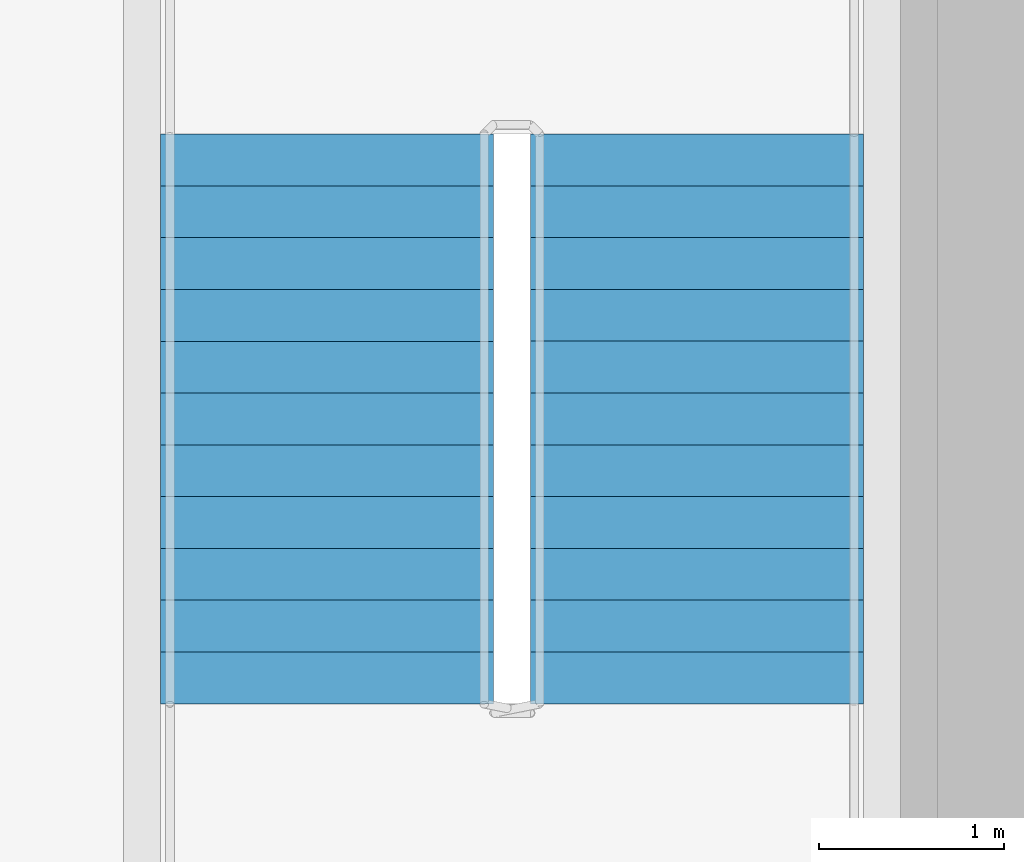
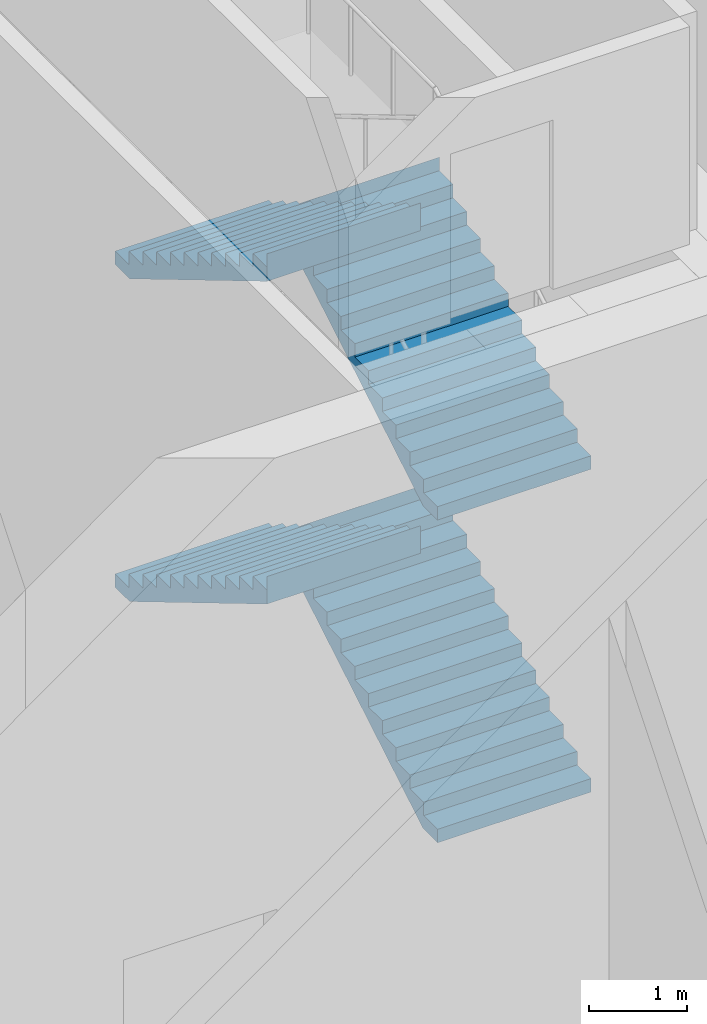
# One storey, part 5 of 7: 4 stair flights, 1 element without a shape of its own.
"""IFC4 building model written with IfcOpenShell, lengths in metres."""

from ifc_helpers import new_model, si_unit, direction, frame, origin, place, context, subcontext, project, spatial, polyline, outline, extrude, material, type_object, element, aggregate, save


model = new_model("IFC4")

# Units and contexts
model_context = context("Model", 3, precision=1e-05, world=origin(), true_north=direction((0.0, 1.0)))
body_context = subcontext(model_context, "Body", "Model", "MODEL_VIEW")
ifc_project = project(units=[si_unit("LENGTHUNIT", "METRE"), si_unit("AREAUNIT", "SQUARE_METRE"), si_unit("VOLUMEUNIT", "CUBIC_METRE"), si_unit("PLANEANGLEUNIT", "RADIAN"), si_unit("MASSUNIT", "GRAM", prefix="KILO")], contexts=[model_context])

# Site, building, storey
site_placement = place(None, origin())
site = spatial("IfcSite", under=ifc_project, at=site_placement, CompositionType="ELEMENT")
building_placement = place(site_placement, origin())
building = spatial("IfcBuilding", under=site, at=building_placement, Name="Tamorin Gate", CompositionType="ELEMENT")
storey_placement = place(building_placement, frame((0.0, 0.0, 320.199951171875)))
storey = spatial("IfcBuildingStorey", under=building, at=storey_placement, Name="L78", CompositionType="ELEMENT", Elevation=320.199951171875)

# Stair, stair flights
ifc_material = material(Name="Concrete C40/50", Category="concrete")
stair_type = type_object("IfcStairType", Name="Exit stair", PredefinedType="HALF_TURN_STAIR", material=ifc_material)
stair_placement = place(storey_placement, origin())
stair = element("IfcStair", 1, at=stair_placement, inside=storey, type_object=stair_type, Name="L78 stair ST3", PredefinedType="HALF_TURN_STAIR")
stair_flight_type = type_object("IfcStairFlightType", Name="Exit stair flight", PredefinedType="STRAIGHT", material=ifc_material)
stair_flight_1_placement = place(storey_placement, frame((58.10009765625, 62.800048828125, 0.0), z_axis=(0.0, 0.0, 1.0), x_axis=(0.0, 1.0, 0.0)))
stair_flight_1 = element("IfcStairFlight", 2, at=stair_flight_1_placement, type_object=stair_flight_type, Name="ST3 flight 1", NumberOfRisers=12, NumberOfTreads=11, PredefinedType="STRAIGHT", RiserHeight=0.166666667, TreadLength=0.28, context=body_context, shape_type="SweptSolid", body=[
    extrude(outline(polyline([(-0.00048828125, 0.0), (-0.00048828125, 0.001708984375), (-0.00048828125, 0.00341796875), (-0.00048828125, 0.0048828125), (-0.00048828125, 0.006591796875), (-0.00048828125, 0.00830078125), (-0.00048828125, 0.010009765625), (-0.00048828125, 0.011474609375), (-0.00048828125, 0.01318359375), (-0.00048828125, 0.014892578125), (-0.00048828125, 0.0166015625), (-0.00048828125, 0.01806640625), (-0.00048828125, 0.019775390625), (-0.00048828125, 0.021484375), (-0.00048828125, 0.023193359375), (-0.00048828125, 0.024658203125), (-0.00048828125, 0.0263671875), (-0.00048828125, 0.028076171875), (-0.00048828125, 0.02978515625), (-0.00048828125, 0.03125), (-0.00048828125, 0.032958984375), (-0.00048828125, 0.03466796875), (-0.00048828125, 0.036376953125), (-0.00048828125, 0.037841796875), (-0.00048828125, 0.03955078125), (-0.00048828125, 0.041259765625), (-0.00048828125, 0.04296875), (-0.00048828125, 0.04443359375), (-0.00048828125, 0.046142578125), (-0.00048828125, 0.0478515625), (-0.00048828125, 0.049560546875), (-0.00048828125, 0.05126953125), (-0.00048828125, 0.052734375), (-0.00048828125, 0.054443359375), (-0.00048828125, 0.05615234375), (-0.00048828125, 0.057861328125), (-0.00048828125, 0.059326171875), (-0.00048828125, 0.06103515625), (-0.00048828125, 0.062744140625), (-0.00048828125, 0.064453125), (-0.00048828125, 0.06591796875), (-0.00048828125, 0.067626953125), (-0.00048828125, 0.0693359375), (-0.00048828125, 0.071044921875), (-0.00048828125, 0.072509765625), (-0.00048828125, 0.07421875), (-0.00048828125, 0.075927734375), (-0.00048828125, 0.07763671875), (-0.00048828125, 0.0791015625), (-0.00048828125, 0.080810546875), (-0.00048828125, 0.08251953125), (-0.00048828125, 0.084228515625), (-0.00048828125, 0.085693359375), (-0.00048828125, 0.08740234375), (-0.00048828125, 0.089111328125), (-0.00048828125, 0.0908203125), (-0.00048828125, 0.092529296875), (-0.00048828125, 0.093994140625), (-0.00048828125, 0.095703125), (-0.00048828125, 0.097412109375), (-0.00048828125, 0.09912109375), (-0.00048828125, 0.1005859375), (-0.00048828125, 0.102294921875), (-0.00048828125, 0.10400390625), (-0.00048828125, 0.105712890625), (-0.00048828125, 0.107177734375), (-0.00048828125, 0.10888671875), (-0.00048828125, 0.110595703125), (-0.00048828125, 0.1123046875), (-0.00048828125, 0.11376953125), (-0.00048828125, 0.115478515625), (-0.00048828125, 0.1171875), (-0.00048828125, 0.118896484375), (-0.00048828125, 0.120361328125), (-0.00048828125, 0.1220703125), (-0.00048828125, 0.123779296875), (-0.00048828125, 0.12548828125), (-0.00048828125, 0.126953125), (-0.00048828125, 0.128662109375), (-0.00048828125, 0.13037109375), (-0.00048828125, 0.132080078125), (-0.00048828125, 0.133544921875), (-0.00048828125, 0.13525390625), (-0.00048828125, 0.136962890625), (-0.00048828125, 0.138671875), (-0.00048828125, 0.140380859375), (-0.00048828125, 0.141845703125), (-0.00048828125, 0.1435546875), (-0.00048828125, 0.145263671875), (-0.00048828125, 0.14697265625), (-0.00048828125, 0.1484375), (-0.00048828125, 0.150146484375), (-0.00048828125, 0.15185546875), (-0.00048828125, 0.153564453125), (-0.00048828125, 0.155029296875), (-0.00048828125, 0.15673828125), (-0.00048828125, 0.158447265625), (-0.00048828125, 0.16015625), (-0.00048828125, 0.16162109375), (-0.00048828125, 0.163330078125), (-0.00048828125, 0.1650390625), (-0.00048828125, 0.166748046875), (0.280029296875, 0.166748046875), (0.280029296875, 0.333251953125), (0.56005859375, 0.333251953125), (0.56005859375, 0.5), (0.840087890625, 0.5), (0.840087890625, 0.666748046875), (1.1201171875, 0.666748046875), (1.1201171875, 0.833251953125), (1.39990234375, 0.833251953125), (1.39990234375, 1.0), (1.679931640625, 1.0), (1.679931640625, 1.166748046875), (1.9599609375, 1.166748046875), (1.9599609375, 1.333251953125), (2.239990234375, 1.333251953125), (2.239990234375, 1.5), (2.52001953125, 1.5), (2.52001953125, 1.666748046875), (2.800048828125, 1.666748046875), (2.800048828125, 1.833251953125), (3.080078125, 1.833251953125), (3.080078125, 2.0), (3.08056640625, 2.0), (3.08056640625, 1.99658203125), (3.08056640625, 1.9931640625), (3.08056640625, 1.98974609375), (3.08056640625, 1.986572265625), (3.08056640625, 1.983154296875), (3.08056640625, 1.979736328125), (3.08056640625, 1.976318359375), (3.08056640625, 1.972900390625), (3.08056640625, 1.969482421875), (3.08056640625, 1.96630859375), (3.08056640625, 1.962890625), (3.08056640625, 1.95947265625), (3.08056640625, 1.9560546875), (3.08056640625, 1.95263671875), (3.08056640625, 1.94921875), (3.08056640625, 1.946044921875), (3.08056640625, 1.942626953125), (3.08056640625, 1.939208984375), (3.08056640625, 1.935791015625), (3.08056640625, 1.932373046875), (3.08056640625, 1.928955078125), (3.08056640625, 1.92578125), (3.08056640625, 1.92236328125), (3.08056640625, 1.9189453125), (3.08056640625, 1.91552734375), (3.08056640625, 1.912109375), (3.08056640625, 1.90869140625), (3.08056640625, 1.905517578125), (3.08056640625, 1.902099609375), (3.08056640625, 1.898681640625), (3.08056640625, 1.895263671875), (3.08056640625, 1.891845703125), (3.08056640625, 1.888427734375), (3.08056640625, 1.88525390625), (3.08056640625, 1.8818359375), (3.08056640625, 1.87841796875), (3.08056640625, 1.875), (3.08056640625, 1.87158203125), (3.08056640625, 1.8681640625), (3.08056640625, 1.864990234375), (3.08056640625, 1.861572265625), (3.08056640625, 1.858154296875), (3.08056640625, 1.854736328125), (3.08056640625, 1.851318359375), (3.08056640625, 1.847900390625), (3.08056640625, 1.8447265625), (3.08056640625, 1.84130859375), (3.08056640625, 1.837890625), (3.08056640625, 1.83447265625), (3.08056640625, 1.8310546875), (3.08056640625, 1.82763671875), (3.08056640625, 1.824462890625), (3.08056640625, 1.821044921875), (3.08056640625, 1.817626953125), (3.08056640625, 1.814208984375), (3.08056640625, 1.810791015625), (3.08056640625, 1.807373046875), (3.08056640625, 1.80419921875), (3.08056640625, 1.80078125), (3.08056640625, 1.79736328125), (3.08056640625, 1.7939453125), (3.08056640625, 1.79052734375), (3.08056640625, 1.787109375), (3.08056640625, 1.783935546875), (3.08056640625, 1.780517578125), (3.08056640625, 1.777099609375), (3.08056640625, 1.773681640625), (3.08056640625, 1.770263671875), (3.08056640625, 1.766845703125), (3.08056640625, 1.763671875), (3.08056640625, 1.76025390625), (3.08056640625, 1.7568359375), (3.08056640625, 1.75341796875), (3.08056640625, 1.75), (3.08056640625, 1.74658203125), (3.08056640625, 1.743408203125), (3.08056640625, 1.739990234375), (3.08056640625, 1.736572265625), (3.08056640625, 1.733154296875), (3.08056640625, 1.729736328125), (3.08056640625, 1.726318359375), (3.08056640625, 1.72314453125), (3.08056640625, 1.7197265625), (3.08056640625, 1.71630859375), (3.08056640625, 1.712890625), (3.08056640625, 1.70947265625), (3.08056640625, 1.7060546875), (3.08056640625, 1.702880859375), (3.08056640625, 1.699462890625), (3.08056640625, 1.696044921875), (3.08056640625, 1.692626953125), (3.08056640625, 1.689208984375), (3.08056640625, 1.685791015625), (3.08056640625, 1.6826171875), (3.08056640625, 1.67919921875), (3.08056640625, 1.67578125), (3.08056640625, 1.67236328125), (3.08056640625, 1.6689453125), (3.08056640625, 1.66552734375), (3.08056640625, 1.662353515625), (3.08056640625, 1.658935546875), (3.080078125, 1.658935546875), (0.29296875, 0.0), (-0.00048828125, 0.0)])), frame((0.0, 0.89990234375, 0.0), z_axis=(0.0, -1.0, 0.0), x_axis=(1.0, 0.0, 0.0)), (0.0, 0.0, 1.0), 1.800048828125),
])
stair_flight_2_placement = place(storey_placement, frame((56.10009765625, 65.8798828125, 2.0), z_axis=(0.0, 0.0, 1.0), x_axis=(0.0, -1.0, 0.0)))
stair_flight_2 = element("IfcStairFlight", 3, at=stair_flight_2_placement, type_object=stair_flight_type, Name="ST3 flight 2", NumberOfRisers=12, NumberOfTreads=11, PredefinedType="STRAIGHT", RiserHeight=0.166666667, TreadLength=0.28, context=body_context, shape_type="SweptSolid", body=[
    extrude(outline(polyline([(-0.00048828125, 0.0), (-0.00048828125, 0.001708984375), (-0.00048828125, 0.00341796875), (-0.00048828125, 0.0048828125), (-0.00048828125, 0.006591796875), (-0.00048828125, 0.00830078125), (-0.00048828125, 0.010009765625), (-0.00048828125, 0.011474609375), (-0.00048828125, 0.01318359375), (-0.00048828125, 0.014892578125), (-0.00048828125, 0.0166015625), (-0.00048828125, 0.01806640625), (-0.00048828125, 0.019775390625), (-0.00048828125, 0.021484375), (-0.00048828125, 0.023193359375), (-0.00048828125, 0.024658203125), (-0.00048828125, 0.0263671875), (-0.00048828125, 0.028076171875), (-0.00048828125, 0.02978515625), (-0.00048828125, 0.03125), (-0.00048828125, 0.032958984375), (-0.00048828125, 0.03466796875), (-0.00048828125, 0.036376953125), (-0.00048828125, 0.037841796875), (-0.00048828125, 0.03955078125), (-0.00048828125, 0.041259765625), (-0.00048828125, 0.04296875), (-0.00048828125, 0.04443359375), (-0.00048828125, 0.046142578125), (-0.00048828125, 0.0478515625), (-0.00048828125, 0.049560546875), (-0.00048828125, 0.05126953125), (-0.00048828125, 0.052734375), (-0.00048828125, 0.054443359375), (-0.00048828125, 0.05615234375), (-0.00048828125, 0.057861328125), (-0.00048828125, 0.059326171875), (-0.00048828125, 0.06103515625), (-0.00048828125, 0.062744140625), (-0.00048828125, 0.064453125), (-0.00048828125, 0.06591796875), (-0.00048828125, 0.067626953125), (-0.00048828125, 0.0693359375), (-0.00048828125, 0.071044921875), (-0.00048828125, 0.072509765625), (-0.00048828125, 0.07421875), (-0.00048828125, 0.075927734375), (-0.00048828125, 0.07763671875), (-0.00048828125, 0.0791015625), (-0.00048828125, 0.080810546875), (-0.00048828125, 0.08251953125), (-0.00048828125, 0.084228515625), (-0.00048828125, 0.085693359375), (-0.00048828125, 0.08740234375), (-0.00048828125, 0.089111328125), (-0.00048828125, 0.0908203125), (-0.00048828125, 0.092529296875), (-0.00048828125, 0.093994140625), (-0.00048828125, 0.095703125), (-0.00048828125, 0.097412109375), (-0.00048828125, 0.09912109375), (-0.00048828125, 0.1005859375), (-0.00048828125, 0.102294921875), (-0.00048828125, 0.10400390625), (-0.00048828125, 0.105712890625), (-0.00048828125, 0.107177734375), (-0.00048828125, 0.10888671875), (-0.00048828125, 0.110595703125), (-0.00048828125, 0.1123046875), (-0.00048828125, 0.11376953125), (-0.00048828125, 0.115478515625), (-0.00048828125, 0.1171875), (-0.00048828125, 0.118896484375), (-0.00048828125, 0.120361328125), (-0.00048828125, 0.1220703125), (-0.00048828125, 0.123779296875), (-0.00048828125, 0.12548828125), (-0.00048828125, 0.126953125), (-0.00048828125, 0.128662109375), (-0.00048828125, 0.13037109375), (-0.00048828125, 0.132080078125), (-0.00048828125, 0.133544921875), (-0.00048828125, 0.13525390625), (-0.00048828125, 0.136962890625), (-0.00048828125, 0.138671875), (-0.00048828125, 0.140380859375), (-0.00048828125, 0.141845703125), (-0.00048828125, 0.1435546875), (-0.00048828125, 0.145263671875), (-0.00048828125, 0.14697265625), (-0.00048828125, 0.1484375), (-0.00048828125, 0.150146484375), (-0.00048828125, 0.15185546875), (-0.00048828125, 0.153564453125), (-0.00048828125, 0.155029296875), (-0.00048828125, 0.15673828125), (-0.00048828125, 0.158447265625), (-0.00048828125, 0.16015625), (-0.00048828125, 0.16162109375), (-0.00048828125, 0.163330078125), (-0.00048828125, 0.1650390625), (-0.00048828125, 0.166748046875), (0.280029296875, 0.166748046875), (0.280029296875, 0.333251953125), (0.56005859375, 0.333251953125), (0.56005859375, 0.5), (0.840087890625, 0.5), (0.840087890625, 0.666748046875), (1.1201171875, 0.666748046875), (1.1201171875, 0.833251953125), (1.39990234375, 0.833251953125), (1.39990234375, 1.0), (1.679931640625, 1.0), (1.679931640625, 1.166748046875), (1.9599609375, 1.166748046875), (1.9599609375, 1.333251953125), (2.239990234375, 1.333251953125), (2.239990234375, 1.5), (2.52001953125, 1.5), (2.52001953125, 1.666748046875), (2.800048828125, 1.666748046875), (2.800048828125, 1.833251953125), (3.080078125, 1.833251953125), (3.080078125, 2.0), (3.08056640625, 2.0), (3.08056640625, 1.99658203125), (3.08056640625, 1.9931640625), (3.08056640625, 1.98974609375), (3.08056640625, 1.986572265625), (3.08056640625, 1.983154296875), (3.08056640625, 1.979736328125), (3.08056640625, 1.976318359375), (3.08056640625, 1.972900390625), (3.08056640625, 1.969482421875), (3.08056640625, 1.96630859375), (3.08056640625, 1.962890625), (3.08056640625, 1.95947265625), (3.08056640625, 1.9560546875), (3.08056640625, 1.95263671875), (3.08056640625, 1.94921875), (3.08056640625, 1.946044921875), (3.08056640625, 1.942626953125), (3.08056640625, 1.939208984375), (3.08056640625, 1.935791015625), (3.08056640625, 1.932373046875), (3.08056640625, 1.928955078125), (3.08056640625, 1.92578125), (3.08056640625, 1.92236328125), (3.08056640625, 1.9189453125), (3.08056640625, 1.91552734375), (3.08056640625, 1.912109375), (3.08056640625, 1.90869140625), (3.08056640625, 1.905517578125), (3.08056640625, 1.902099609375), (3.08056640625, 1.898681640625), (3.08056640625, 1.895263671875), (3.08056640625, 1.891845703125), (3.08056640625, 1.888427734375), (3.08056640625, 1.88525390625), (3.08056640625, 1.8818359375), (3.08056640625, 1.87841796875), (3.08056640625, 1.875), (3.08056640625, 1.87158203125), (3.08056640625, 1.8681640625), (3.08056640625, 1.864990234375), (3.08056640625, 1.861572265625), (3.08056640625, 1.858154296875), (3.08056640625, 1.854736328125), (3.08056640625, 1.851318359375), (3.08056640625, 1.847900390625), (3.08056640625, 1.8447265625), (3.08056640625, 1.84130859375), (3.08056640625, 1.837890625), (3.08056640625, 1.83447265625), (3.08056640625, 1.8310546875), (3.08056640625, 1.82763671875), (3.08056640625, 1.824462890625), (3.08056640625, 1.821044921875), (3.08056640625, 1.817626953125), (3.08056640625, 1.814208984375), (3.08056640625, 1.810791015625), (3.08056640625, 1.807373046875), (3.08056640625, 1.80419921875), (3.08056640625, 1.80078125), (3.08056640625, 1.79736328125), (3.08056640625, 1.7939453125), (3.08056640625, 1.79052734375), (3.08056640625, 1.787109375), (3.08056640625, 1.783935546875), (3.08056640625, 1.780517578125), (3.08056640625, 1.777099609375), (3.08056640625, 1.773681640625), (3.08056640625, 1.770263671875), (3.08056640625, 1.766845703125), (3.08056640625, 1.763671875), (3.08056640625, 1.76025390625), (3.08056640625, 1.7568359375), (3.08056640625, 1.75341796875), (3.08056640625, 1.75), (3.08056640625, 1.74658203125), (3.08056640625, 1.743408203125), (3.08056640625, 1.739990234375), (3.08056640625, 1.736572265625), (3.08056640625, 1.733154296875), (3.08056640625, 1.729736328125), (3.08056640625, 1.726318359375), (3.08056640625, 1.72314453125), (3.08056640625, 1.7197265625), (3.08056640625, 1.71630859375), (3.08056640625, 1.712890625), (3.08056640625, 1.70947265625), (3.08056640625, 1.7060546875), (3.08056640625, 1.702880859375), (3.08056640625, 1.699462890625), (3.08056640625, 1.696044921875), (3.08056640625, 1.692626953125), (3.08056640625, 1.689208984375), (3.08056640625, 1.685791015625), (3.08056640625, 1.6826171875), (3.08056640625, 1.67919921875), (3.08056640625, 1.67578125), (3.08056640625, 1.67236328125), (3.08056640625, 1.6689453125), (3.08056640625, 1.66552734375), (3.08056640625, 1.662353515625), (3.08056640625, 1.658935546875), (3.080078125, 1.658935546875), (0.29296875, 0.0), (-0.00048828125, 0.0)])), frame((0.0, 0.89990234375, 0.0), z_axis=(0.0, -1.0, 0.0), x_axis=(1.0, 0.0, 0.0)), (0.0, 0.0, 1.0), 1.800048828125),
])
stair_flight_3_placement = place(storey_placement, frame((58.10009765625, 62.800048828125, 4.0), z_axis=(0.0, 0.0, 1.0), x_axis=(0.0, 1.0, 0.0)))
stair_flight_3 = element("IfcStairFlight", 4, at=stair_flight_3_placement, type_object=stair_flight_type, Name="ST3 flight 3", NumberOfRisers=12, NumberOfTreads=11, PredefinedType="STRAIGHT", RiserHeight=0.166666667, TreadLength=0.28, context=body_context, shape_type="SweptSolid", body=[
    extrude(outline(polyline([(-0.00048828125, 0.0), (-0.00048828125, 0.001708984375), (-0.00048828125, 0.00341796875), (-0.00048828125, 0.0048828125), (-0.00048828125, 0.006591796875), (-0.00048828125, 0.00830078125), (-0.00048828125, 0.010009765625), (-0.00048828125, 0.011474609375), (-0.00048828125, 0.01318359375), (-0.00048828125, 0.014892578125), (-0.00048828125, 0.0166015625), (-0.00048828125, 0.01806640625), (-0.00048828125, 0.019775390625), (-0.00048828125, 0.021484375), (-0.00048828125, 0.023193359375), (-0.00048828125, 0.024658203125), (-0.00048828125, 0.0263671875), (-0.00048828125, 0.028076171875), (-0.00048828125, 0.02978515625), (-0.00048828125, 0.03125), (-0.00048828125, 0.032958984375), (-0.00048828125, 0.03466796875), (-0.00048828125, 0.036376953125), (-0.00048828125, 0.037841796875), (-0.00048828125, 0.03955078125), (-0.00048828125, 0.041259765625), (-0.00048828125, 0.04296875), (-0.00048828125, 0.04443359375), (-0.00048828125, 0.046142578125), (-0.00048828125, 0.0478515625), (-0.00048828125, 0.049560546875), (-0.00048828125, 0.05126953125), (-0.00048828125, 0.052734375), (-0.00048828125, 0.054443359375), (-0.00048828125, 0.05615234375), (-0.00048828125, 0.057861328125), (-0.00048828125, 0.059326171875), (-0.00048828125, 0.06103515625), (-0.00048828125, 0.062744140625), (-0.00048828125, 0.064453125), (-0.00048828125, 0.06591796875), (-0.00048828125, 0.067626953125), (-0.00048828125, 0.0693359375), (-0.00048828125, 0.071044921875), (-0.00048828125, 0.072509765625), (-0.00048828125, 0.07421875), (-0.00048828125, 0.075927734375), (-0.00048828125, 0.07763671875), (-0.00048828125, 0.0791015625), (-0.00048828125, 0.080810546875), (-0.00048828125, 0.08251953125), (-0.00048828125, 0.084228515625), (-0.00048828125, 0.085693359375), (-0.00048828125, 0.08740234375), (-0.00048828125, 0.089111328125), (-0.00048828125, 0.0908203125), (-0.00048828125, 0.092529296875), (-0.00048828125, 0.093994140625), (-0.00048828125, 0.095703125), (-0.00048828125, 0.097412109375), (-0.00048828125, 0.09912109375), (-0.00048828125, 0.1005859375), (-0.00048828125, 0.102294921875), (-0.00048828125, 0.10400390625), (-0.00048828125, 0.105712890625), (-0.00048828125, 0.107177734375), (-0.00048828125, 0.10888671875), (-0.00048828125, 0.110595703125), (-0.00048828125, 0.1123046875), (-0.00048828125, 0.11376953125), (-0.00048828125, 0.115478515625), (-0.00048828125, 0.1171875), (-0.00048828125, 0.118896484375), (-0.00048828125, 0.120361328125), (-0.00048828125, 0.1220703125), (-0.00048828125, 0.123779296875), (-0.00048828125, 0.12548828125), (-0.00048828125, 0.126953125), (-0.00048828125, 0.128662109375), (-0.00048828125, 0.13037109375), (-0.00048828125, 0.132080078125), (-0.00048828125, 0.133544921875), (-0.00048828125, 0.13525390625), (-0.00048828125, 0.136962890625), (-0.00048828125, 0.138671875), (-0.00048828125, 0.140380859375), (-0.00048828125, 0.141845703125), (-0.00048828125, 0.1435546875), (-0.00048828125, 0.145263671875), (-0.00048828125, 0.14697265625), (-0.00048828125, 0.1484375), (-0.00048828125, 0.150146484375), (-0.00048828125, 0.15185546875), (-0.00048828125, 0.153564453125), (-0.00048828125, 0.155029296875), (-0.00048828125, 0.15673828125), (-0.00048828125, 0.158447265625), (-0.00048828125, 0.16015625), (-0.00048828125, 0.16162109375), (-0.00048828125, 0.163330078125), (-0.00048828125, 0.1650390625), (-0.00048828125, 0.166748046875), (0.280029296875, 0.166748046875), (0.280029296875, 0.333251953125), (0.56005859375, 0.333251953125), (0.56005859375, 0.5), (0.840087890625, 0.5), (0.840087890625, 0.666748046875), (1.1201171875, 0.666748046875), (1.1201171875, 0.833251953125), (1.39990234375, 0.833251953125), (1.39990234375, 1.0), (1.679931640625, 1.0), (1.679931640625, 1.166748046875), (1.9599609375, 1.166748046875), (1.9599609375, 1.333251953125), (2.239990234375, 1.333251953125), (2.239990234375, 1.5), (2.52001953125, 1.5), (2.52001953125, 1.666748046875), (2.800048828125, 1.666748046875), (2.800048828125, 1.833251953125), (3.080078125, 1.833251953125), (3.080078125, 2.0), (3.08056640625, 2.0), (3.08056640625, 1.99658203125), (3.08056640625, 1.9931640625), (3.08056640625, 1.98974609375), (3.08056640625, 1.986572265625), (3.08056640625, 1.983154296875), (3.08056640625, 1.979736328125), (3.08056640625, 1.976318359375), (3.08056640625, 1.972900390625), (3.08056640625, 1.969482421875), (3.08056640625, 1.96630859375), (3.08056640625, 1.962890625), (3.08056640625, 1.95947265625), (3.08056640625, 1.9560546875), (3.08056640625, 1.95263671875), (3.08056640625, 1.94921875), (3.08056640625, 1.946044921875), (3.08056640625, 1.942626953125), (3.08056640625, 1.939208984375), (3.08056640625, 1.935791015625), (3.08056640625, 1.932373046875), (3.08056640625, 1.928955078125), (3.08056640625, 1.92578125), (3.08056640625, 1.92236328125), (3.08056640625, 1.9189453125), (3.08056640625, 1.91552734375), (3.08056640625, 1.912109375), (3.08056640625, 1.90869140625), (3.08056640625, 1.905517578125), (3.08056640625, 1.902099609375), (3.08056640625, 1.898681640625), (3.08056640625, 1.895263671875), (3.08056640625, 1.891845703125), (3.08056640625, 1.888427734375), (3.08056640625, 1.88525390625), (3.08056640625, 1.8818359375), (3.08056640625, 1.87841796875), (3.08056640625, 1.875), (3.08056640625, 1.87158203125), (3.08056640625, 1.8681640625), (3.08056640625, 1.864990234375), (3.08056640625, 1.861572265625), (3.08056640625, 1.858154296875), (3.08056640625, 1.854736328125), (3.08056640625, 1.851318359375), (3.08056640625, 1.847900390625), (3.08056640625, 1.8447265625), (3.08056640625, 1.84130859375), (3.08056640625, 1.837890625), (3.08056640625, 1.83447265625), (3.08056640625, 1.8310546875), (3.08056640625, 1.82763671875), (3.08056640625, 1.824462890625), (3.08056640625, 1.821044921875), (3.08056640625, 1.817626953125), (3.08056640625, 1.814208984375), (3.08056640625, 1.810791015625), (3.08056640625, 1.807373046875), (3.08056640625, 1.80419921875), (3.08056640625, 1.80078125), (3.08056640625, 1.79736328125), (3.08056640625, 1.7939453125), (3.08056640625, 1.79052734375), (3.08056640625, 1.787109375), (3.08056640625, 1.783935546875), (3.08056640625, 1.780517578125), (3.08056640625, 1.777099609375), (3.08056640625, 1.773681640625), (3.08056640625, 1.770263671875), (3.08056640625, 1.766845703125), (3.08056640625, 1.763671875), (3.08056640625, 1.76025390625), (3.08056640625, 1.7568359375), (3.08056640625, 1.75341796875), (3.08056640625, 1.75), (3.08056640625, 1.74658203125), (3.08056640625, 1.743408203125), (3.08056640625, 1.739990234375), (3.08056640625, 1.736572265625), (3.08056640625, 1.733154296875), (3.08056640625, 1.729736328125), (3.08056640625, 1.726318359375), (3.08056640625, 1.72314453125), (3.08056640625, 1.7197265625), (3.08056640625, 1.71630859375), (3.08056640625, 1.712890625), (3.08056640625, 1.70947265625), (3.08056640625, 1.7060546875), (3.08056640625, 1.702880859375), (3.08056640625, 1.699462890625), (3.08056640625, 1.696044921875), (3.08056640625, 1.692626953125), (3.08056640625, 1.689208984375), (3.08056640625, 1.685791015625), (3.08056640625, 1.6826171875), (3.08056640625, 1.67919921875), (3.08056640625, 1.67578125), (3.08056640625, 1.67236328125), (3.08056640625, 1.6689453125), (3.08056640625, 1.66552734375), (3.08056640625, 1.662353515625), (3.08056640625, 1.658935546875), (3.080078125, 1.658935546875), (0.29296875, 0.0), (-0.00048828125, 0.0)])), frame((0.0, 0.89990234375, 0.0), z_axis=(0.0, -1.0, 0.0), x_axis=(1.0, 0.0, 0.0)), (0.0, 0.0, 1.0), 1.800048828125),
])
stair_flight_4_placement = place(storey_placement, frame((56.10009765625, 65.8798828125, 6.0), z_axis=(0.0, 0.0, 1.0), x_axis=(0.0, -1.0, 0.0)))
stair_flight_4 = element("IfcStairFlight", 5, at=stair_flight_4_placement, type_object=stair_flight_type, Name="ST3 flight 4", NumberOfRisers=12, NumberOfTreads=11, PredefinedType="STRAIGHT", RiserHeight=0.166666667, TreadLength=0.28, context=body_context, shape_type="SweptSolid", body=[
    extrude(outline(polyline([(-0.00048828125, 0.0), (-0.00048828125, 0.001708984375), (-0.00048828125, 0.00341796875), (-0.00048828125, 0.0048828125), (-0.00048828125, 0.006591796875), (-0.00048828125, 0.00830078125), (-0.00048828125, 0.010009765625), (-0.00048828125, 0.011474609375), (-0.00048828125, 0.01318359375), (-0.00048828125, 0.014892578125), (-0.00048828125, 0.0166015625), (-0.00048828125, 0.01806640625), (-0.00048828125, 0.019775390625), (-0.00048828125, 0.021484375), (-0.00048828125, 0.023193359375), (-0.00048828125, 0.024658203125), (-0.00048828125, 0.0263671875), (-0.00048828125, 0.028076171875), (-0.00048828125, 0.02978515625), (-0.00048828125, 0.03125), (-0.00048828125, 0.032958984375), (-0.00048828125, 0.03466796875), (-0.00048828125, 0.036376953125), (-0.00048828125, 0.037841796875), (-0.00048828125, 0.03955078125), (-0.00048828125, 0.041259765625), (-0.00048828125, 0.04296875), (-0.00048828125, 0.04443359375), (-0.00048828125, 0.046142578125), (-0.00048828125, 0.0478515625), (-0.00048828125, 0.049560546875), (-0.00048828125, 0.05126953125), (-0.00048828125, 0.052734375), (-0.00048828125, 0.054443359375), (-0.00048828125, 0.05615234375), (-0.00048828125, 0.057861328125), (-0.00048828125, 0.059326171875), (-0.00048828125, 0.06103515625), (-0.00048828125, 0.062744140625), (-0.00048828125, 0.064453125), (-0.00048828125, 0.06591796875), (-0.00048828125, 0.067626953125), (-0.00048828125, 0.0693359375), (-0.00048828125, 0.071044921875), (-0.00048828125, 0.072509765625), (-0.00048828125, 0.07421875), (-0.00048828125, 0.075927734375), (-0.00048828125, 0.07763671875), (-0.00048828125, 0.0791015625), (-0.00048828125, 0.080810546875), (-0.00048828125, 0.08251953125), (-0.00048828125, 0.084228515625), (-0.00048828125, 0.085693359375), (-0.00048828125, 0.08740234375), (-0.00048828125, 0.089111328125), (-0.00048828125, 0.0908203125), (-0.00048828125, 0.092529296875), (-0.00048828125, 0.093994140625), (-0.00048828125, 0.095703125), (-0.00048828125, 0.097412109375), (-0.00048828125, 0.09912109375), (-0.00048828125, 0.1005859375), (-0.00048828125, 0.102294921875), (-0.00048828125, 0.10400390625), (-0.00048828125, 0.105712890625), (-0.00048828125, 0.107177734375), (-0.00048828125, 0.10888671875), (-0.00048828125, 0.110595703125), (-0.00048828125, 0.1123046875), (-0.00048828125, 0.11376953125), (-0.00048828125, 0.115478515625), (-0.00048828125, 0.1171875), (-0.00048828125, 0.118896484375), (-0.00048828125, 0.120361328125), (-0.00048828125, 0.1220703125), (-0.00048828125, 0.123779296875), (-0.00048828125, 0.12548828125), (-0.00048828125, 0.126953125), (-0.00048828125, 0.128662109375), (-0.00048828125, 0.13037109375), (-0.00048828125, 0.132080078125), (-0.00048828125, 0.133544921875), (-0.00048828125, 0.13525390625), (-0.00048828125, 0.136962890625), (-0.00048828125, 0.138671875), (-0.00048828125, 0.140380859375), (-0.00048828125, 0.141845703125), (-0.00048828125, 0.1435546875), (-0.00048828125, 0.145263671875), (-0.00048828125, 0.14697265625), (-0.00048828125, 0.1484375), (-0.00048828125, 0.150146484375), (-0.00048828125, 0.15185546875), (-0.00048828125, 0.153564453125), (-0.00048828125, 0.155029296875), (-0.00048828125, 0.15673828125), (-0.00048828125, 0.158447265625), (-0.00048828125, 0.16015625), (-0.00048828125, 0.16162109375), (-0.00048828125, 0.163330078125), (-0.00048828125, 0.1650390625), (-0.00048828125, 0.166748046875), (0.280029296875, 0.166748046875), (0.280029296875, 0.333251953125), (0.56005859375, 0.333251953125), (0.56005859375, 0.5), (0.840087890625, 0.5), (0.840087890625, 0.666748046875), (1.1201171875, 0.666748046875), (1.1201171875, 0.833251953125), (1.39990234375, 0.833251953125), (1.39990234375, 1.0), (1.679931640625, 1.0), (1.679931640625, 1.166748046875), (1.9599609375, 1.166748046875), (1.9599609375, 1.333251953125), (2.239990234375, 1.333251953125), (2.239990234375, 1.5), (2.52001953125, 1.5), (2.52001953125, 1.666748046875), (2.800048828125, 1.666748046875), (2.800048828125, 1.833251953125), (3.080078125, 1.833251953125), (3.080078125, 2.0), (3.08056640625, 2.0), (3.08056640625, 1.99658203125), (3.08056640625, 1.9931640625), (3.08056640625, 1.98974609375), (3.08056640625, 1.986572265625), (3.08056640625, 1.983154296875), (3.08056640625, 1.979736328125), (3.08056640625, 1.976318359375), (3.08056640625, 1.972900390625), (3.08056640625, 1.969482421875), (3.08056640625, 1.96630859375), (3.08056640625, 1.962890625), (3.08056640625, 1.95947265625), (3.08056640625, 1.9560546875), (3.08056640625, 1.95263671875), (3.08056640625, 1.94921875), (3.08056640625, 1.946044921875), (3.08056640625, 1.942626953125), (3.08056640625, 1.939208984375), (3.08056640625, 1.935791015625), (3.08056640625, 1.932373046875), (3.08056640625, 1.928955078125), (3.08056640625, 1.92578125), (3.08056640625, 1.92236328125), (3.08056640625, 1.9189453125), (3.08056640625, 1.91552734375), (3.08056640625, 1.912109375), (3.08056640625, 1.90869140625), (3.08056640625, 1.905517578125), (3.08056640625, 1.902099609375), (3.08056640625, 1.898681640625), (3.08056640625, 1.895263671875), (3.08056640625, 1.891845703125), (3.08056640625, 1.888427734375), (3.08056640625, 1.88525390625), (3.08056640625, 1.8818359375), (3.08056640625, 1.87841796875), (3.08056640625, 1.875), (3.08056640625, 1.87158203125), (3.08056640625, 1.8681640625), (3.08056640625, 1.864990234375), (3.08056640625, 1.861572265625), (3.08056640625, 1.858154296875), (3.08056640625, 1.854736328125), (3.08056640625, 1.851318359375), (3.08056640625, 1.847900390625), (3.08056640625, 1.8447265625), (3.08056640625, 1.84130859375), (3.08056640625, 1.837890625), (3.08056640625, 1.83447265625), (3.08056640625, 1.8310546875), (3.08056640625, 1.82763671875), (3.08056640625, 1.824462890625), (3.08056640625, 1.821044921875), (3.08056640625, 1.817626953125), (3.08056640625, 1.814208984375), (3.08056640625, 1.810791015625), (3.08056640625, 1.807373046875), (3.08056640625, 1.80419921875), (3.08056640625, 1.80078125), (3.08056640625, 1.79736328125), (3.08056640625, 1.7939453125), (3.08056640625, 1.79052734375), (3.08056640625, 1.787109375), (3.08056640625, 1.783935546875), (3.08056640625, 1.780517578125), (3.08056640625, 1.777099609375), (3.08056640625, 1.773681640625), (3.08056640625, 1.770263671875), (3.08056640625, 1.766845703125), (3.08056640625, 1.763671875), (3.08056640625, 1.76025390625), (3.08056640625, 1.7568359375), (3.08056640625, 1.75341796875), (3.08056640625, 1.75), (3.08056640625, 1.74658203125), (3.08056640625, 1.743408203125), (3.08056640625, 1.739990234375), (3.08056640625, 1.736572265625), (3.08056640625, 1.733154296875), (3.08056640625, 1.729736328125), (3.08056640625, 1.726318359375), (3.08056640625, 1.72314453125), (3.08056640625, 1.7197265625), (3.08056640625, 1.71630859375), (3.08056640625, 1.712890625), (3.08056640625, 1.70947265625), (3.08056640625, 1.7060546875), (3.08056640625, 1.702880859375), (3.08056640625, 1.699462890625), (3.08056640625, 1.696044921875), (3.08056640625, 1.692626953125), (3.08056640625, 1.689208984375), (3.08056640625, 1.685791015625), (3.08056640625, 1.6826171875), (3.08056640625, 1.67919921875), (3.08056640625, 1.67578125), (3.08056640625, 1.67236328125), (3.08056640625, 1.6689453125), (3.08056640625, 1.66552734375), (3.08056640625, 1.662353515625), (3.08056640625, 1.658935546875), (3.080078125, 1.658935546875), (0.29296875, 0.0), (-0.00048828125, 0.0)])), frame((0.0, 0.89990234375, 0.0), z_axis=(0.0, -1.0, 0.0), x_axis=(1.0, 0.0, 0.0)), (0.0, 0.0, 1.0), 1.800048828125),
])
aggregate(stair, [stair_flight_1, stair_flight_2, stair_flight_3, stair_flight_4])

save(model, "model.ifc")
